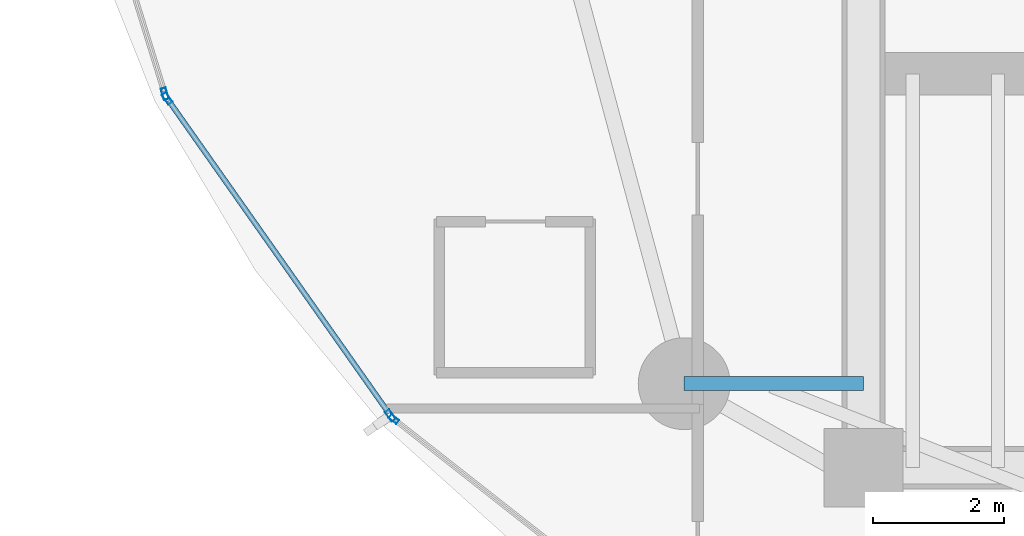
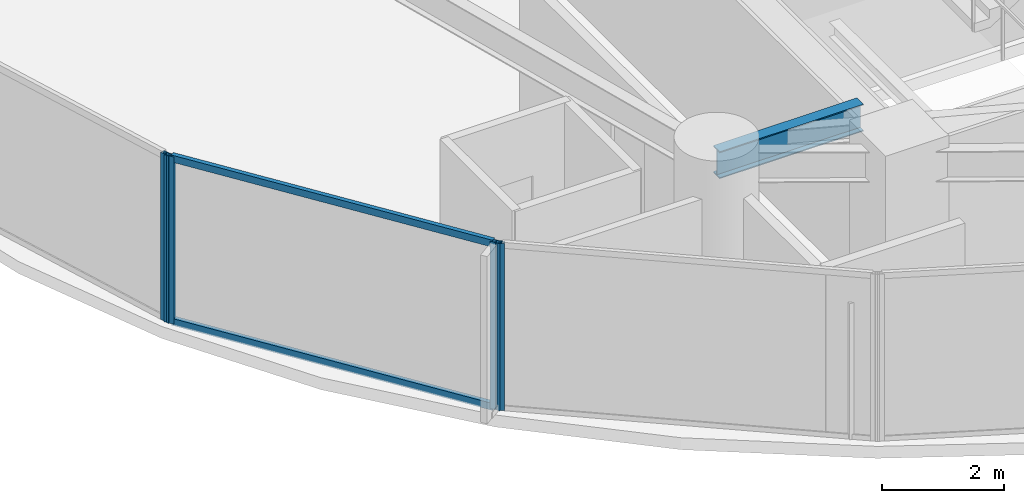
# One storey, part 3 of 33: 6 members, 1 beam, 3 elements without a shape of their own.
"""IFC4 building model written with IfcOpenShell, lengths in metres."""

from ifc_helpers import new_model, si_unit, direction, frame, origin, origin_2d, place, context, subcontext, project, spatial, hollow_rectangle, i_section, extrude, material, layer, layer_set, material_profile, profile_set, type_object, element, aggregate, save


model = new_model("IFC4")

# Units and contexts
model_context = context("Model", 3, precision=1e-05, world=origin(), true_north=direction((0.0, 1.0)))
body_context = subcontext(model_context, "Body", "Model", "MODEL_VIEW")
ifc_project = project(units=[si_unit("LENGTHUNIT", "METRE"), si_unit("AREAUNIT", "SQUARE_METRE"), si_unit("VOLUMEUNIT", "CUBIC_METRE"), si_unit("PLANEANGLEUNIT", "RADIAN"), si_unit("MASSUNIT", "GRAM", prefix="KILO")], contexts=[model_context])

# Site, building, storey
site_placement = place(None, origin())
site = spatial("IfcSite", under=ifc_project, at=site_placement, CompositionType="ELEMENT")
building_placement = place(site_placement, origin())
building = spatial("IfcBuilding", under=site, at=building_placement, Name="Kazevale Care Tower and Concert Hall", CompositionType="ELEMENT")
storey_placement = place(building_placement, frame((0.0, 0.0, 49.199951171875)))
storey = spatial("IfcBuildingStorey", under=building, at=storey_placement, Name="L12", CompositionType="ELEMENT", Elevation=49.199951171875)

# Curtain wall, members
ifc_material_1 = material(Name="Aluminium 6063-T6 and Low-E Glass", Category="aluminium")
ifc_layer_1 = layer(ifc_material_1, 0.179931640625)
ifc_layer_set_1 = layer_set([ifc_layer_1], Name="Aluminium 6063-T6 and Low-E Glass")
curtain_wall_type_1 = type_object("IfcCurtainWallType", Name="Waist & Upper Residential Curtain Wall CW-4", PredefinedType="NOTDEFINED", material=ifc_layer_set_1)
curtain_wall_1_placement = place(storey_placement, origin())
curtain_wall_1 = element("IfcCurtainWall", 1, at=curtain_wall_1_placement, inside=storey, type_object=curtain_wall_type_1, Name="cw:L12:f11", PredefinedType="NOTDEFINED")
ifc_material_2 = material(Name="Aluminium 6063-T6", Category="aluminium")
ifc_material_profile_1 = material_profile(ifc_material_2, hollow_rectangle(XDim=0.080078125, YDim=0.179931640625, WallThickness=0.0048828125, at=origin_2d()), Name="ALU80x180x5")
ifc_profile_set_1 = profile_set([ifc_material_profile_1], Name="Aluminium 6063-T6")
member_type_1 = type_object("IfcMemberType", Name="CW-4 Mullion ALU80x180x5", PredefinedType="MULLION", material=ifc_profile_set_1)
member_1_placement = place(storey_placement, frame((14.794921875, 24.396728515625, 0.0), z_axis=(0.0, 0.0, 1.0), x_axis=(-0.817564654583, -0.575836813322, 0.0)))
member_1 = element("IfcMember", 2, at=member_1_placement, type_object=member_type_1, Name="CW-4 mullion 1", PredefinedType="MULLION", context=body_context, shape_type="SweptSolid", body=[
    extrude(hollow_rectangle(XDim=0.080078125, YDim=0.179931640625, WallThickness=0.0048828125, at=origin_2d()), origin(), (0.0, 0.0, 1.0), 3.360107421875),
])
member_2_placement = place(storey_placement, frame((11.39404296875, 29.225341796875, 0.0), z_axis=(0.0, 0.0, 1.0), x_axis=(-0.817564654583, -0.575836813322, 0.0)))
member_2 = element("IfcMember", 3, at=member_2_placement, type_object=member_type_1, Name="CW-4 mullion 2", PredefinedType="MULLION", context=body_context, shape_type="SweptSolid", body=[
    extrude(hollow_rectangle(XDim=0.080078125, YDim=0.179931640625, WallThickness=0.0048828125, at=origin_2d()), origin(), (0.0, 0.0, 1.0), 3.360107421875),
])

# Curtain wall, member
curtain_wall_2_placement = place(storey_placement, origin())
curtain_wall_2 = element("IfcCurtainWall", 4, at=curtain_wall_2_placement, inside=storey, type_object=curtain_wall_type_1, Name="cw:L12:f12", PredefinedType="NOTDEFINED")
member_3_placement = place(storey_placement, frame((11.359130859375, 29.296142578125, 0.0), z_axis=(0.0, 0.0, 1.0), x_axis=(-0.955157326175, -0.296098771112, 0.0)))
member_3 = element("IfcMember", 5, at=member_3_placement, type_object=member_type_1, Name="CW-4 mullion 1", PredefinedType="MULLION", context=body_context, shape_type="SweptSolid", body=[
    extrude(hollow_rectangle(XDim=0.080078125, YDim=0.179931640625, WallThickness=0.0048828125, at=origin_2d()), origin(), (0.0, 0.0, 1.0), 3.360107421875),
])
aggregate(curtain_wall_2, [member_3])

# Member
ifc_material_profile_2 = material_profile(ifc_material_2, hollow_rectangle(XDim=0.080078125, YDim=0.139892578125, WallThickness=0.00390625, at=origin_2d()), Name="ALU80x140x4")
ifc_profile_set_2 = profile_set([ifc_material_profile_2], Name="Aluminium 6063-T6")
member_type_2 = type_object("IfcMemberType", Name="CW-4 Transom ALU80x140x4", PredefinedType="USERDEFINED", material=ifc_profile_set_2)
member_4_placement = place(storey_placement, frame((14.77197265625, 24.429443359375, 0.0400390625), z_axis=(-0.575850423039, 0.817555068657, 0.0), x_axis=(-0.817555068657, -0.575850423039, 0.0)))
member_4 = element("IfcMember", 6, at=member_4_placement, type_object=member_type_2, Name="CW-4 transom 1.1", ObjectType="TRANSOM", PredefinedType="USERDEFINED", context=body_context, shape_type="SweptSolid", body=[
    extrude(hollow_rectangle(XDim=0.080078125, YDim=0.139892578125, WallThickness=0.00390625, at=origin_2d()), origin(), (0.0, 0.0, 1.0), 5.826171875),
])

member_5_placement = place(storey_placement, frame((14.77197265625, 24.429443359375, 3.320068359375), z_axis=(-0.575850423039, 0.817555068657, 0.0), x_axis=(-0.817555068657, -0.575850423039, 0.0)))
member_5 = element("IfcMember", 7, at=member_5_placement, type_object=member_type_2, Name="CW-4 transom 1.2", ObjectType="TRANSOM", PredefinedType="USERDEFINED", context=body_context, shape_type="SweptSolid", body=[
    extrude(hollow_rectangle(XDim=0.080078125, YDim=0.139892578125, WallThickness=0.00390625, at=origin_2d()), origin(), (0.0, 0.0, 1.0), 5.826171875),
])

aggregate(curtain_wall_1, [member_1, member_2, member_4, member_5])

# Curtain wall, member
ifc_layer_2 = layer(ifc_material_1, 0.179931640625)
ifc_layer_set_2 = layer_set([ifc_layer_2], Name="Aluminium 6063-T6 and Low-E Glass")
curtain_wall_type_2 = type_object("IfcCurtainWallType", Name="Sheltered Concave Balcony Curtain Wall CW-5", PredefinedType="NOTDEFINED", material=ifc_layer_set_2)
curtain_wall_3_placement = place(storey_placement, origin())
curtain_wall_3 = element("IfcCurtainWall", 8, at=curtain_wall_3_placement, inside=storey, type_object=curtain_wall_type_2, Name="cw:L12:f10", PredefinedType="NOTDEFINED")
ifc_material_profile_3 = material_profile(ifc_material_2, hollow_rectangle(XDim=0.074951171875, YDim=0.14990234375, WallThickness=0.00390625, at=origin_2d()), Name="ALU75x150x4")
ifc_profile_set_3 = profile_set([ifc_material_profile_3], Name="Aluminium 6063-T6")
member_type_3 = type_object("IfcMemberType", Name="CW-5 Mullion ALU75x150x4", PredefinedType="MULLION", material=ifc_profile_set_3)
member_6_placement = place(storey_placement, frame((14.847412109375, 24.3408203125, 0.0), z_axis=(0.0, 0.0, 1.0), x_axis=(-0.617807548814, -0.78632934107, 0.0)))
member_6 = element("IfcMember", 9, at=member_6_placement, type_object=member_type_3, Name="CW-5 mullion 2", PredefinedType="MULLION", context=body_context, shape_type="SweptSolid", body=[
    extrude(hollow_rectangle(XDim=0.074951171875, YDim=0.14990234375, WallThickness=0.00390625, at=origin_2d()), origin(), (0.0, 0.0, 1.0), 3.360107421875),
])
aggregate(curtain_wall_3, [member_6])

# Beam
ifc_material_3 = material(Name="Steel ASTM A572 Gr 50", Category="steel")
ifc_material_profile_4 = material_profile(ifc_material_3, i_section(OverallWidth=0.2119140625, OverallDepth=0.5439453125, WebThickness=0.01318359375, FlangeThickness=0.021240234375, at=origin_2d()), Name="W530x123")
ifc_profile_set_4 = profile_set([ifc_material_profile_4], Name="Steel ASTM A572 Gr 50")
beam_type = type_object("IfcBeamType", Name="Radial Floor Girder W530x123", PredefinedType="BEAM", material=ifc_profile_set_4)
beam_placement = place(storey_placement, frame((22.0, 24.8798828125, 3.088134765625), z_axis=(-1.0, 0.0, 0.0), x_axis=(0.0, -1.0, 0.0)))
element("IfcBeam", 10, at=beam_placement, inside=storey, type_object=beam_type, Name="beam:L12:rad:10", PredefinedType="BEAM", context=body_context, shape_type="SweptSolid", body=[
    extrude(i_section(OverallWidth=0.2119140625, OverallDepth=0.5439453125, WebThickness=0.01318359375, FlangeThickness=0.021240234375, at=origin_2d()), origin(), (0.0, 0.0, 1.0), 2.72998046875),
])

save(model, "model.ifc")
